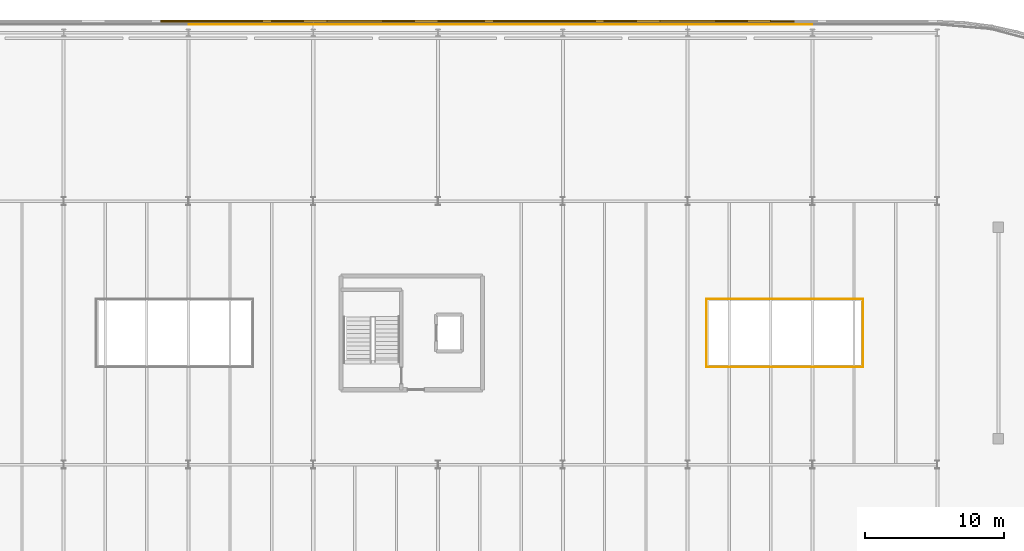
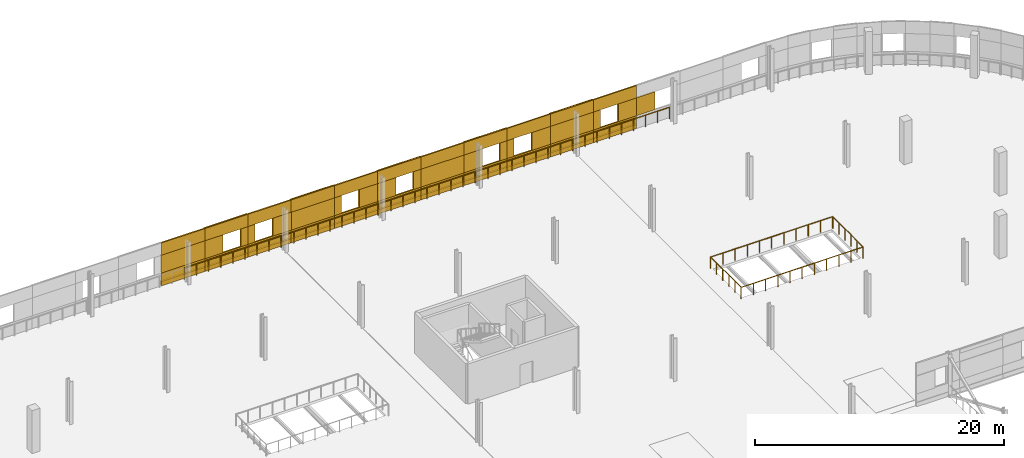
# One storey, part 127 of 132: 57 coverings, 7 railings.
"""IFC4 building model written with IfcOpenShell, lengths in metres."""

from ifc_helpers import new_model, si_unit, direction, frame, origin, origin_2d, place, context, subcontext, project, spatial, rectangle, circle, extrude, material, layer, layer_set, type_object, element, save


model = new_model("IFC4")

# Units and contexts
model_context = context("Model", 3, precision=1e-05, world=origin(), true_north=direction((0.0, 1.0)))
body_context = subcontext(model_context, "Body", "Model", "MODEL_VIEW")
ifc_project = project(units=[si_unit("LENGTHUNIT", "METRE"), si_unit("AREAUNIT", "SQUARE_METRE"), si_unit("VOLUMEUNIT", "CUBIC_METRE"), si_unit("PLANEANGLEUNIT", "RADIAN"), si_unit("MASSUNIT", "GRAM", prefix="KILO")], contexts=[model_context])

# Site, building, storey
site_placement = place(None, origin())
site = spatial("IfcSite", under=ifc_project, at=site_placement, CompositionType="ELEMENT")
building_placement = place(site_placement, origin())
building = spatial("IfcBuilding", under=site, at=building_placement, Name="Deido Ridge Mobility Hub", CompositionType="ELEMENT")
storey_placement = place(building_placement, frame((0.0, 0.0, 8.39990234375)))
storey = spatial("IfcBuildingStorey", under=building, at=storey_placement, Name="L02", CompositionType="ELEMENT", Elevation=8.39990234375)

# Coverings
ifc_material_1 = material(Name="Fired clay brick masonry", Category="masonry")
ifc_layer = layer(ifc_material_1, 0.114990234375, Name="Fired clay brick masonry")
ifc_layer_set = layer_set([ifc_layer], Name="Fired clay brick masonry")
covering_type = type_object("IfcCoveringType", Name="COV-BRK-SCREEN-115", PredefinedType="CLADDING", material=ifc_layer_set)
covering_1_placement = place(storey_placement, frame((105.847412109375, 125.947509765625, 1.25), z_axis=(0.0, 0.0, 1.0), x_axis=(-1.0, 0.0, 0.0)))
element("IfcCovering", 1, at=covering_1_placement, inside=storey, type_object=covering_type, Name="Open brickwork pier BKS1 (L02)", PredefinedType="CLADDING", context=body_context, shape_type="SweptSolid", body=[
    extrude(rectangle(XDim=1.695068359375, YDim=0.125, at=origin_2d()), origin(), (0.0, 0.0, 1.0), 1.75),
])
covering_2_placement = place(storey_placement, frame((103.0, 125.947509765625, 0.0), z_axis=(0.0, 0.0, 1.0), x_axis=(-1.0, 0.0, 0.0)))
element("IfcCovering", 2, at=covering_2_placement, inside=storey, type_object=covering_type, Name="Open brickwork spandrel course BKS1 (L02)", PredefinedType="CLADDING", context=body_context, shape_type="SweptSolid", body=[
    extrude(rectangle(XDim=4.01611328125, YDim=0.125, at=origin_2d()), origin(), (0.0, 0.0, 1.0), 1.25),
])
covering_3_placement = place(storey_placement, frame((103.0, 125.97509765625, 0.000244140625), z_axis=(0.0, 0.0, 1.0), x_axis=(-1.0, 0.0, 0.0)))
element("IfcCovering", 3, at=covering_3_placement, inside=storey, type_object=covering_type, Name="Raised brick relief belt BKS1 (L02)", PredefinedType="CLADDING", context=body_context, shape_type="SweptSolid", body=[
    extrude(rectangle(XDim=4.01611328125, YDim=0.179931640625, at=origin_2d()), origin(), (0.0, 0.0, 1.0), 0.39990234375),
])
covering_4_placement = place(storey_placement, frame((103.0, 125.947509765625, 3.0), z_axis=(0.0, 0.0, 1.0), x_axis=(-1.0, 0.0, 0.0)))
element("IfcCovering", 4, at=covering_4_placement, inside=storey, type_object=covering_type, Name="Open brickwork lintel course BKS1 (L02)", PredefinedType="CLADDING", context=body_context, shape_type="SweptSolid", body=[
    extrude(rectangle(XDim=4.01611328125, YDim=0.125, at=origin_2d()), origin(), (0.0, 0.0, 1.0), 1.199951171875),
])
covering_5_placement = place(storey_placement, frame((104.152587890625, 125.97509765625, 1.25), z_axis=(0.0, 0.0, 1.0), x_axis=(-1.0, 0.0, 0.0)))
element("IfcCovering", 5, at=covering_5_placement, inside=storey, type_object=covering_type, Name="Open brickwork pier BKS1 (L02)", PredefinedType="CLADDING", context=body_context, shape_type="SweptSolid", body=[
    extrude(rectangle(XDim=1.695068359375, YDim=0.179931640625, at=origin_2d()), origin(), (0.0, 0.0, 1.0), 1.75),
])
covering_6_placement = place(storey_placement, frame((101.327392578125, 125.947509765625, 1.25), z_axis=(0.0, 0.0, 1.0), x_axis=(-1.0, 0.0, 0.0)))
element("IfcCovering", 6, at=covering_6_placement, inside=storey, type_object=covering_type, Name="Open brickwork pier BKS1 (L02)", PredefinedType="CLADDING", context=body_context, shape_type="SweptSolid", body=[
    extrude(rectangle(XDim=0.655029296875, YDim=0.125, at=origin_2d()), origin(), (0.0, 0.0, 1.0), 1.75),
])
covering_7_placement = place(storey_placement, frame((99.0, 125.947509765625, 0.0), z_axis=(0.0, 0.0, 1.0), x_axis=(-1.0, 0.0, 0.0)))
element("IfcCovering", 7, at=covering_7_placement, inside=storey, type_object=covering_type, Name="Open brickwork spandrel course BKS1 (L02)", PredefinedType="CLADDING", context=body_context, shape_type="SweptSolid", body=[
    extrude(rectangle(XDim=4.01611328125, YDim=0.125, at=origin_2d()), origin(), (0.0, 0.0, 1.0), 1.25),
])
covering_8_placement = place(storey_placement, frame((99.0, 125.97509765625, 0.000244140625), z_axis=(0.0, 0.0, 1.0), x_axis=(-1.0, 0.0, 0.0)))
element("IfcCovering", 8, at=covering_8_placement, inside=storey, type_object=covering_type, Name="Raised brick relief belt BKS1 (L02)", PredefinedType="CLADDING", context=body_context, shape_type="SweptSolid", body=[
    extrude(rectangle(XDim=4.01611328125, YDim=0.179931640625, at=origin_2d()), origin(), (0.0, 0.0, 1.0), 0.39990234375),
])
covering_9_placement = place(storey_placement, frame((99.0, 125.947509765625, 3.0), z_axis=(0.0, 0.0, 1.0), x_axis=(-1.0, 0.0, 0.0)))
element("IfcCovering", 9, at=covering_9_placement, inside=storey, type_object=covering_type, Name="Open brickwork lintel course BKS1 (L02)", PredefinedType="CLADDING", context=body_context, shape_type="SweptSolid", body=[
    extrude(rectangle(XDim=4.01611328125, YDim=0.125, at=origin_2d()), origin(), (0.0, 0.0, 1.0), 1.199951171875),
])
covering_10_placement = place(storey_placement, frame((99.0, 125.97509765625, 3.83984375), z_axis=(0.0, 0.0, 1.0), x_axis=(-1.0, 0.0, 0.0)))
element("IfcCovering", 10, at=covering_10_placement, inside=storey, type_object=covering_type, Name="Raised brick relief cornice BKS1 (L02)", PredefinedType="CLADDING", context=body_context, shape_type="SweptSolid", body=[
    extrude(rectangle(XDim=4.01611328125, YDim=0.179931640625, at=origin_2d()), origin(), (0.0, 0.0, 1.0), 0.360107421875),
])
covering_11_placement = place(storey_placement, frame((99.0, 125.97509765625, 1.25), z_axis=(0.0, 0.0, 1.0), x_axis=(-1.0, 0.0, 0.0)))
element("IfcCovering", 11, at=covering_11_placement, inside=storey, type_object=covering_type, Name="Raised brick relief panel BKS1 (L02)", PredefinedType="CLADDING", context=body_context, shape_type="SweptSolid", body=[
    extrude(rectangle(XDim=4.008056640625, YDim=0.179931640625, at=origin_2d()), origin(), (0.0, 0.0, 1.0), 1.75),
])
covering_12_placement = place(storey_placement, frame((95.0, 125.947509765625, 0.0), z_axis=(0.0, 0.0, 1.0), x_axis=(-1.0, 0.0, 0.0)))
element("IfcCovering", 12, at=covering_12_placement, inside=storey, type_object=covering_type, Name="Open brickwork spandrel course BKS1 (L02)", PredefinedType="CLADDING", context=body_context, shape_type="SweptSolid", body=[
    extrude(rectangle(XDim=4.01611328125, YDim=0.125, at=origin_2d()), origin(), (0.0, 0.0, 1.0), 1.25),
])
covering_13_placement = place(storey_placement, frame((95.0, 125.97509765625, 0.000244140625), z_axis=(0.0, 0.0, 1.0), x_axis=(-1.0, 0.0, 0.0)))
element("IfcCovering", 13, at=covering_13_placement, inside=storey, type_object=covering_type, Name="Raised brick relief belt BKS1 (L02)", PredefinedType="CLADDING", context=body_context, shape_type="SweptSolid", body=[
    extrude(rectangle(XDim=4.01611328125, YDim=0.179931640625, at=origin_2d()), origin(), (0.0, 0.0, 1.0), 0.39990234375),
])
covering_14_placement = place(storey_placement, frame((95.0, 125.947509765625, 3.0), z_axis=(0.0, 0.0, 1.0), x_axis=(-1.0, 0.0, 0.0)))
element("IfcCovering", 14, at=covering_14_placement, inside=storey, type_object=covering_type, Name="Open brickwork lintel course BKS1 (L02)", PredefinedType="CLADDING", context=body_context, shape_type="SweptSolid", body=[
    extrude(rectangle(XDim=4.01611328125, YDim=0.125, at=origin_2d()), origin(), (0.0, 0.0, 1.0), 1.199951171875),
])
covering_15_placement = place(storey_placement, frame((96.152587890625, 125.97509765625, 1.25), z_axis=(0.0, 0.0, 1.0), x_axis=(-1.0, 0.0, 0.0)))
element("IfcCovering", 15, at=covering_15_placement, inside=storey, type_object=covering_type, Name="Open brickwork pier BKS1 (L02)", PredefinedType="CLADDING", context=body_context, shape_type="SweptSolid", body=[
    extrude(rectangle(XDim=1.695068359375, YDim=0.179931640625, at=origin_2d()), origin(), (0.0, 0.0, 1.0), 1.75),
])
covering_16_placement = place(storey_placement, frame((93.327392578125, 125.947509765625, 1.25), z_axis=(0.0, 0.0, 1.0), x_axis=(-1.0, 0.0, 0.0)))
element("IfcCovering", 16, at=covering_16_placement, inside=storey, type_object=covering_type, Name="Open brickwork pier BKS1 (L02)", PredefinedType="CLADDING", context=body_context, shape_type="SweptSolid", body=[
    extrude(rectangle(XDim=0.655029296875, YDim=0.125, at=origin_2d()), origin(), (0.0, 0.0, 1.0), 1.75),
])
covering_17_placement = place(storey_placement, frame((91.0, 125.947509765625, 0.0), z_axis=(0.0, 0.0, 1.0), x_axis=(-1.0, 0.0, 0.0)))
element("IfcCovering", 17, at=covering_17_placement, inside=storey, type_object=covering_type, Name="Open brickwork spandrel course BKS1 (L02)", PredefinedType="CLADDING", context=body_context, shape_type="SweptSolid", body=[
    extrude(rectangle(XDim=4.01611328125, YDim=0.125, at=origin_2d()), origin(), (0.0, 0.0, 1.0), 1.25),
])
covering_18_placement = place(storey_placement, frame((91.0, 125.97509765625, 0.000244140625), z_axis=(0.0, 0.0, 1.0), x_axis=(-1.0, 0.0, 0.0)))
element("IfcCovering", 18, at=covering_18_placement, inside=storey, type_object=covering_type, Name="Raised brick relief belt BKS1 (L02)", PredefinedType="CLADDING", context=body_context, shape_type="SweptSolid", body=[
    extrude(rectangle(XDim=4.01611328125, YDim=0.179931640625, at=origin_2d()), origin(), (0.0, 0.0, 1.0), 0.39990234375),
])
covering_19_placement = place(storey_placement, frame((91.0, 125.947509765625, 3.0), z_axis=(0.0, 0.0, 1.0), x_axis=(-1.0, 0.0, 0.0)))
element("IfcCovering", 19, at=covering_19_placement, inside=storey, type_object=covering_type, Name="Open brickwork lintel course BKS1 (L02)", PredefinedType="CLADDING", context=body_context, shape_type="SweptSolid", body=[
    extrude(rectangle(XDim=4.01611328125, YDim=0.125, at=origin_2d()), origin(), (0.0, 0.0, 1.0), 1.199951171875),
])
covering_20_placement = place(storey_placement, frame((91.0, 125.97509765625, 3.83984375), z_axis=(0.0, 0.0, 1.0), x_axis=(-1.0, 0.0, 0.0)))
element("IfcCovering", 20, at=covering_20_placement, inside=storey, type_object=covering_type, Name="Raised brick relief cornice BKS1 (L02)", PredefinedType="CLADDING", context=body_context, shape_type="SweptSolid", body=[
    extrude(rectangle(XDim=4.01611328125, YDim=0.179931640625, at=origin_2d()), origin(), (0.0, 0.0, 1.0), 0.360107421875),
])
covering_21_placement = place(storey_placement, frame((92.672607421875, 125.97509765625, 1.25), z_axis=(0.0, 0.0, 1.0), x_axis=(-1.0, 0.0, 0.0)))
element("IfcCovering", 21, at=covering_21_placement, inside=storey, type_object=covering_type, Name="Open brickwork pier BKS1 (L02)", PredefinedType="CLADDING", context=body_context, shape_type="SweptSolid", body=[
    extrude(rectangle(XDim=0.655029296875, YDim=0.179931640625, at=origin_2d()), origin(), (0.0, 0.0, 1.0), 1.75),
])
covering_22_placement = place(storey_placement, frame((89.847412109375, 125.947509765625, 1.25), z_axis=(0.0, 0.0, 1.0), x_axis=(-1.0, 0.0, 0.0)))
element("IfcCovering", 22, at=covering_22_placement, inside=storey, type_object=covering_type, Name="Open brickwork pier BKS1 (L02)", PredefinedType="CLADDING", context=body_context, shape_type="SweptSolid", body=[
    extrude(rectangle(XDim=1.695068359375, YDim=0.125, at=origin_2d()), origin(), (0.0, 0.0, 1.0), 1.75),
])
covering_23_placement = place(storey_placement, frame((87.0, 125.947509765625, 0.0), z_axis=(0.0, 0.0, 1.0), x_axis=(-1.0, 0.0, 0.0)))
element("IfcCovering", 23, at=covering_23_placement, inside=storey, type_object=covering_type, Name="Open brickwork spandrel course BKS1 (L02)", PredefinedType="CLADDING", context=body_context, shape_type="SweptSolid", body=[
    extrude(rectangle(XDim=4.01611328125, YDim=0.125, at=origin_2d()), origin(), (0.0, 0.0, 1.0), 1.25),
])
covering_24_placement = place(storey_placement, frame((87.0, 125.97509765625, 0.000244140625), z_axis=(0.0, 0.0, 1.0), x_axis=(-1.0, 0.0, 0.0)))
element("IfcCovering", 24, at=covering_24_placement, inside=storey, type_object=covering_type, Name="Raised brick relief belt BKS1 (L02)", PredefinedType="CLADDING", context=body_context, shape_type="SweptSolid", body=[
    extrude(rectangle(XDim=4.01611328125, YDim=0.179931640625, at=origin_2d()), origin(), (0.0, 0.0, 1.0), 0.39990234375),
])
covering_25_placement = place(storey_placement, frame((87.0, 125.947509765625, 3.0), z_axis=(0.0, 0.0, 1.0), x_axis=(-1.0, 0.0, 0.0)))
element("IfcCovering", 25, at=covering_25_placement, inside=storey, type_object=covering_type, Name="Open brickwork lintel course BKS1 (L02)", PredefinedType="CLADDING", context=body_context, shape_type="SweptSolid", body=[
    extrude(rectangle(XDim=4.01611328125, YDim=0.125, at=origin_2d()), origin(), (0.0, 0.0, 1.0), 1.199951171875),
])
covering_26_placement = place(storey_placement, frame((87.0, 125.97509765625, 1.25), z_axis=(0.0, 0.0, 1.0), x_axis=(-1.0, 0.0, 0.0)))
element("IfcCovering", 26, at=covering_26_placement, inside=storey, type_object=covering_type, Name="Raised brick relief panel BKS1 (L02)", PredefinedType="CLADDING", context=body_context, shape_type="SweptSolid", body=[
    extrude(rectangle(XDim=4.008056640625, YDim=0.179931640625, at=origin_2d()), origin(), (0.0, 0.0, 1.0), 1.75),
])
covering_27_placement = place(storey_placement, frame((83.0, 125.947509765625, 0.0), z_axis=(0.0, 0.0, 1.0), x_axis=(-1.0, 0.0, 0.0)))
element("IfcCovering", 27, at=covering_27_placement, inside=storey, type_object=covering_type, Name="Open brickwork spandrel course BKS1 (L02)", PredefinedType="CLADDING", context=body_context, shape_type="SweptSolid", body=[
    extrude(rectangle(XDim=4.01611328125, YDim=0.125, at=origin_2d()), origin(), (0.0, 0.0, 1.0), 1.25),
])
covering_28_placement = place(storey_placement, frame((83.0, 125.97509765625, 0.000244140625), z_axis=(0.0, 0.0, 1.0), x_axis=(-1.0, 0.0, 0.0)))
element("IfcCovering", 28, at=covering_28_placement, inside=storey, type_object=covering_type, Name="Raised brick relief belt BKS1 (L02)", PredefinedType="CLADDING", context=body_context, shape_type="SweptSolid", body=[
    extrude(rectangle(XDim=4.01611328125, YDim=0.179931640625, at=origin_2d()), origin(), (0.0, 0.0, 1.0), 0.39990234375),
])
covering_29_placement = place(storey_placement, frame((83.0, 125.947509765625, 3.0), z_axis=(0.0, 0.0, 1.0), x_axis=(-1.0, 0.0, 0.0)))
element("IfcCovering", 29, at=covering_29_placement, inside=storey, type_object=covering_type, Name="Open brickwork lintel course BKS1 (L02)", PredefinedType="CLADDING", context=body_context, shape_type="SweptSolid", body=[
    extrude(rectangle(XDim=4.01611328125, YDim=0.125, at=origin_2d()), origin(), (0.0, 0.0, 1.0), 1.199951171875),
])
covering_30_placement = place(storey_placement, frame((83.0, 125.97509765625, 3.83984375), z_axis=(0.0, 0.0, 1.0), x_axis=(-1.0, 0.0, 0.0)))
element("IfcCovering", 30, at=covering_30_placement, inside=storey, type_object=covering_type, Name="Raised brick relief cornice BKS1 (L02)", PredefinedType="CLADDING", context=body_context, shape_type="SweptSolid", body=[
    extrude(rectangle(XDim=4.01611328125, YDim=0.179931640625, at=origin_2d()), origin(), (0.0, 0.0, 1.0), 0.360107421875),
])
covering_31_placement = place(storey_placement, frame((84.672607421875, 125.97509765625, 1.25), z_axis=(0.0, 0.0, 1.0), x_axis=(-1.0, 0.0, 0.0)))
element("IfcCovering", 31, at=covering_31_placement, inside=storey, type_object=covering_type, Name="Open brickwork pier BKS1 (L02)", PredefinedType="CLADDING", context=body_context, shape_type="SweptSolid", body=[
    extrude(rectangle(XDim=0.655029296875, YDim=0.179931640625, at=origin_2d()), origin(), (0.0, 0.0, 1.0), 1.75),
])
covering_32_placement = place(storey_placement, frame((81.847412109375, 125.947509765625, 1.25), z_axis=(0.0, 0.0, 1.0), x_axis=(-1.0, 0.0, 0.0)))
element("IfcCovering", 32, at=covering_32_placement, inside=storey, type_object=covering_type, Name="Open brickwork pier BKS1 (L02)", PredefinedType="CLADDING", context=body_context, shape_type="SweptSolid", body=[
    extrude(rectangle(XDim=1.695068359375, YDim=0.125, at=origin_2d()), origin(), (0.0, 0.0, 1.0), 1.75),
])
covering_33_placement = place(storey_placement, frame((79.0, 125.947509765625, 0.0), z_axis=(0.0, 0.0, 1.0), x_axis=(-1.0, 0.0, 0.0)))
element("IfcCovering", 33, at=covering_33_placement, inside=storey, type_object=covering_type, Name="Open brickwork spandrel course BKS1 (L02)", PredefinedType="CLADDING", context=body_context, shape_type="SweptSolid", body=[
    extrude(rectangle(XDim=4.01611328125, YDim=0.125, at=origin_2d()), origin(), (0.0, 0.0, 1.0), 1.25),
])
covering_34_placement = place(storey_placement, frame((79.0, 125.97509765625, 0.000244140625), z_axis=(0.0, 0.0, 1.0), x_axis=(-1.0, 0.0, 0.0)))
element("IfcCovering", 34, at=covering_34_placement, inside=storey, type_object=covering_type, Name="Raised brick relief belt BKS1 (L02)", PredefinedType="CLADDING", context=body_context, shape_type="SweptSolid", body=[
    extrude(rectangle(XDim=4.01611328125, YDim=0.179931640625, at=origin_2d()), origin(), (0.0, 0.0, 1.0), 0.39990234375),
])
covering_35_placement = place(storey_placement, frame((79.0, 125.947509765625, 3.0), z_axis=(0.0, 0.0, 1.0), x_axis=(-1.0, 0.0, 0.0)))
element("IfcCovering", 35, at=covering_35_placement, inside=storey, type_object=covering_type, Name="Open brickwork lintel course BKS1 (L02)", PredefinedType="CLADDING", context=body_context, shape_type="SweptSolid", body=[
    extrude(rectangle(XDim=4.01611328125, YDim=0.125, at=origin_2d()), origin(), (0.0, 0.0, 1.0), 1.199951171875),
])
covering_36_placement = place(storey_placement, frame((80.152587890625, 125.97509765625, 1.25), z_axis=(0.0, 0.0, 1.0), x_axis=(-1.0, 0.0, 0.0)))
element("IfcCovering", 36, at=covering_36_placement, inside=storey, type_object=covering_type, Name="Open brickwork pier BKS1 (L02)", PredefinedType="CLADDING", context=body_context, shape_type="SweptSolid", body=[
    extrude(rectangle(XDim=1.695068359375, YDim=0.179931640625, at=origin_2d()), origin(), (0.0, 0.0, 1.0), 1.75),
])
covering_37_placement = place(storey_placement, frame((77.327392578125, 125.947509765625, 1.25), z_axis=(0.0, 0.0, 1.0), x_axis=(-1.0, 0.0, 0.0)))
element("IfcCovering", 37, at=covering_37_placement, inside=storey, type_object=covering_type, Name="Open brickwork pier BKS1 (L02)", PredefinedType="CLADDING", context=body_context, shape_type="SweptSolid", body=[
    extrude(rectangle(XDim=0.655029296875, YDim=0.125, at=origin_2d()), origin(), (0.0, 0.0, 1.0), 1.75),
])
covering_38_placement = place(storey_placement, frame((75.0, 125.947509765625, 0.0), z_axis=(0.0, 0.0, 1.0), x_axis=(-1.0, 0.0, 0.0)))
element("IfcCovering", 38, at=covering_38_placement, inside=storey, type_object=covering_type, Name="Open brickwork spandrel course BKS1 (L02)", PredefinedType="CLADDING", context=body_context, shape_type="SweptSolid", body=[
    extrude(rectangle(XDim=4.01611328125, YDim=0.125, at=origin_2d()), origin(), (0.0, 0.0, 1.0), 1.25),
])
covering_39_placement = place(storey_placement, frame((75.0, 125.97509765625, 0.000244140625), z_axis=(0.0, 0.0, 1.0), x_axis=(-1.0, 0.0, 0.0)))
element("IfcCovering", 39, at=covering_39_placement, inside=storey, type_object=covering_type, Name="Raised brick relief belt BKS1 (L02)", PredefinedType="CLADDING", context=body_context, shape_type="SweptSolid", body=[
    extrude(rectangle(XDim=4.01611328125, YDim=0.179931640625, at=origin_2d()), origin(), (0.0, 0.0, 1.0), 0.39990234375),
])
covering_40_placement = place(storey_placement, frame((75.0, 125.947509765625, 3.0), z_axis=(0.0, 0.0, 1.0), x_axis=(-1.0, 0.0, 0.0)))
element("IfcCovering", 40, at=covering_40_placement, inside=storey, type_object=covering_type, Name="Open brickwork lintel course BKS1 (L02)", PredefinedType="CLADDING", context=body_context, shape_type="SweptSolid", body=[
    extrude(rectangle(XDim=4.01611328125, YDim=0.125, at=origin_2d()), origin(), (0.0, 0.0, 1.0), 1.199951171875),
])
covering_41_placement = place(storey_placement, frame((75.0, 125.97509765625, 3.83984375), z_axis=(0.0, 0.0, 1.0), x_axis=(-1.0, 0.0, 0.0)))
element("IfcCovering", 41, at=covering_41_placement, inside=storey, type_object=covering_type, Name="Raised brick relief cornice BKS1 (L02)", PredefinedType="CLADDING", context=body_context, shape_type="SweptSolid", body=[
    extrude(rectangle(XDim=4.01611328125, YDim=0.179931640625, at=origin_2d()), origin(), (0.0, 0.0, 1.0), 0.360107421875),
])
covering_42_placement = place(storey_placement, frame((75.0, 125.97509765625, 1.25), z_axis=(0.0, 0.0, 1.0), x_axis=(-1.0, 0.0, 0.0)))
element("IfcCovering", 42, at=covering_42_placement, inside=storey, type_object=covering_type, Name="Raised brick relief panel BKS1 (L02)", PredefinedType="CLADDING", context=body_context, shape_type="SweptSolid", body=[
    extrude(rectangle(XDim=4.008056640625, YDim=0.179931640625, at=origin_2d()), origin(), (0.0, 0.0, 1.0), 1.75),
])
covering_43_placement = place(storey_placement, frame((71.0, 125.947509765625, 0.0), z_axis=(0.0, 0.0, 1.0), x_axis=(-1.0, 0.0, 0.0)))
element("IfcCovering", 43, at=covering_43_placement, inside=storey, type_object=covering_type, Name="Open brickwork spandrel course BKS1 (L02)", PredefinedType="CLADDING", context=body_context, shape_type="SweptSolid", body=[
    extrude(rectangle(XDim=4.01611328125, YDim=0.125, at=origin_2d()), origin(), (0.0, 0.0, 1.0), 1.25),
])
covering_44_placement = place(storey_placement, frame((71.0, 125.97509765625, 0.000244140625), z_axis=(0.0, 0.0, 1.0), x_axis=(-1.0, 0.0, 0.0)))
element("IfcCovering", 44, at=covering_44_placement, inside=storey, type_object=covering_type, Name="Raised brick relief belt BKS1 (L02)", PredefinedType="CLADDING", context=body_context, shape_type="SweptSolid", body=[
    extrude(rectangle(XDim=4.01611328125, YDim=0.179931640625, at=origin_2d()), origin(), (0.0, 0.0, 1.0), 0.39990234375),
])
covering_45_placement = place(storey_placement, frame((71.0, 125.947509765625, 3.0), z_axis=(0.0, 0.0, 1.0), x_axis=(-1.0, 0.0, 0.0)))
element("IfcCovering", 45, at=covering_45_placement, inside=storey, type_object=covering_type, Name="Open brickwork lintel course BKS1 (L02)", PredefinedType="CLADDING", context=body_context, shape_type="SweptSolid", body=[
    extrude(rectangle(XDim=4.01611328125, YDim=0.125, at=origin_2d()), origin(), (0.0, 0.0, 1.0), 1.199951171875),
])
covering_46_placement = place(storey_placement, frame((72.152587890625, 125.97509765625, 1.25), z_axis=(0.0, 0.0, 1.0), x_axis=(-1.0, 0.0, 0.0)))
element("IfcCovering", 46, at=covering_46_placement, inside=storey, type_object=covering_type, Name="Open brickwork pier BKS1 (L02)", PredefinedType="CLADDING", context=body_context, shape_type="SweptSolid", body=[
    extrude(rectangle(XDim=1.695068359375, YDim=0.179931640625, at=origin_2d()), origin(), (0.0, 0.0, 1.0), 1.75),
])
covering_47_placement = place(storey_placement, frame((69.327392578125, 125.947509765625, 1.25), z_axis=(0.0, 0.0, 1.0), x_axis=(-1.0, 0.0, 0.0)))
element("IfcCovering", 47, at=covering_47_placement, inside=storey, type_object=covering_type, Name="Open brickwork pier BKS1 (L02)", PredefinedType="CLADDING", context=body_context, shape_type="SweptSolid", body=[
    extrude(rectangle(XDim=0.655029296875, YDim=0.125, at=origin_2d()), origin(), (0.0, 0.0, 1.0), 1.75),
])
covering_48_placement = place(storey_placement, frame((67.0, 125.947509765625, 0.0), z_axis=(0.0, 0.0, 1.0), x_axis=(-1.0, 0.0, 0.0)))
element("IfcCovering", 48, at=covering_48_placement, inside=storey, type_object=covering_type, Name="Open brickwork spandrel course BKS1 (L02)", PredefinedType="CLADDING", context=body_context, shape_type="SweptSolid", body=[
    extrude(rectangle(XDim=4.01611328125, YDim=0.125, at=origin_2d()), origin(), (0.0, 0.0, 1.0), 1.25),
])
covering_49_placement = place(storey_placement, frame((67.0, 125.97509765625, 0.000244140625), z_axis=(0.0, 0.0, 1.0), x_axis=(-1.0, 0.0, 0.0)))
element("IfcCovering", 49, at=covering_49_placement, inside=storey, type_object=covering_type, Name="Raised brick relief belt BKS1 (L02)", PredefinedType="CLADDING", context=body_context, shape_type="SweptSolid", body=[
    extrude(rectangle(XDim=4.01611328125, YDim=0.179931640625, at=origin_2d()), origin(), (0.0, 0.0, 1.0), 0.39990234375),
])
covering_50_placement = place(storey_placement, frame((67.0, 125.947509765625, 3.0), z_axis=(0.0, 0.0, 1.0), x_axis=(-1.0, 0.0, 0.0)))
element("IfcCovering", 50, at=covering_50_placement, inside=storey, type_object=covering_type, Name="Open brickwork lintel course BKS1 (L02)", PredefinedType="CLADDING", context=body_context, shape_type="SweptSolid", body=[
    extrude(rectangle(XDim=4.01611328125, YDim=0.125, at=origin_2d()), origin(), (0.0, 0.0, 1.0), 1.199951171875),
])
covering_51_placement = place(storey_placement, frame((67.0, 125.97509765625, 3.83984375), z_axis=(0.0, 0.0, 1.0), x_axis=(-1.0, 0.0, 0.0)))
element("IfcCovering", 51, at=covering_51_placement, inside=storey, type_object=covering_type, Name="Raised brick relief cornice BKS1 (L02)", PredefinedType="CLADDING", context=body_context, shape_type="SweptSolid", body=[
    extrude(rectangle(XDim=4.01611328125, YDim=0.179931640625, at=origin_2d()), origin(), (0.0, 0.0, 1.0), 0.360107421875),
])
covering_52_placement = place(storey_placement, frame((68.672607421875, 125.97509765625, 1.25), z_axis=(0.0, 0.0, 1.0), x_axis=(-1.0, 0.0, 0.0)))
element("IfcCovering", 52, at=covering_52_placement, inside=storey, type_object=covering_type, Name="Open brickwork pier BKS1 (L02)", PredefinedType="CLADDING", context=body_context, shape_type="SweptSolid", body=[
    extrude(rectangle(XDim=0.655029296875, YDim=0.179931640625, at=origin_2d()), origin(), (0.0, 0.0, 1.0), 1.75),
])
covering_53_placement = place(storey_placement, frame((65.847412109375, 125.947509765625, 1.25), z_axis=(0.0, 0.0, 1.0), x_axis=(-1.0, 0.0, 0.0)))
element("IfcCovering", 53, at=covering_53_placement, inside=storey, type_object=covering_type, Name="Open brickwork pier BKS1 (L02)", PredefinedType="CLADDING", context=body_context, shape_type="SweptSolid", body=[
    extrude(rectangle(XDim=1.695068359375, YDim=0.125, at=origin_2d()), origin(), (0.0, 0.0, 1.0), 1.75),
])
covering_54_placement = place(storey_placement, frame((63.0, 125.947509765625, 0.0), z_axis=(0.0, 0.0, 1.0), x_axis=(-1.0, 0.0, 0.0)))
element("IfcCovering", 54, at=covering_54_placement, inside=storey, type_object=covering_type, Name="Open brickwork spandrel course BKS1 (L02)", PredefinedType="CLADDING", context=body_context, shape_type="SweptSolid", body=[
    extrude(rectangle(XDim=4.01611328125, YDim=0.125, at=origin_2d()), origin(), (0.0, 0.0, 1.0), 1.25),
])
covering_55_placement = place(storey_placement, frame((63.0, 125.97509765625, 0.000244140625), z_axis=(0.0, 0.0, 1.0), x_axis=(-1.0, 0.0, 0.0)))
element("IfcCovering", 55, at=covering_55_placement, inside=storey, type_object=covering_type, Name="Raised brick relief belt BKS1 (L02)", PredefinedType="CLADDING", context=body_context, shape_type="SweptSolid", body=[
    extrude(rectangle(XDim=4.01611328125, YDim=0.179931640625, at=origin_2d()), origin(), (0.0, 0.0, 1.0), 0.39990234375),
])
covering_56_placement = place(storey_placement, frame((63.0, 125.947509765625, 3.0), z_axis=(0.0, 0.0, 1.0), x_axis=(-1.0, 0.0, 0.0)))
element("IfcCovering", 56, at=covering_56_placement, inside=storey, type_object=covering_type, Name="Open brickwork lintel course BKS1 (L02)", PredefinedType="CLADDING", context=body_context, shape_type="SweptSolid", body=[
    extrude(rectangle(XDim=4.01611328125, YDim=0.125, at=origin_2d()), origin(), (0.0, 0.0, 1.0), 1.199951171875),
])
covering_57_placement = place(storey_placement, frame((63.0, 125.97509765625, 1.25), z_axis=(0.0, 0.0, 1.0), x_axis=(-1.0, 0.0, 0.0)))
element("IfcCovering", 57, at=covering_57_placement, inside=storey, type_object=covering_type, Name="Raised brick relief panel BKS1 (L02)", PredefinedType="CLADDING", context=body_context, shape_type="SweptSolid", body=[
    extrude(rectangle(XDim=4.008056640625, YDim=0.179931640625, at=origin_2d()), origin(), (0.0, 0.0, 1.0), 1.75),
])

# Railings
ifc_material_2 = material(Name="Galvanised steel work", Category="steel")
railing_type = type_object("IfcRailingType", Name="RL-GRD-EXT-1150", PredefinedType="GUARDRAIL", material=ifc_material_2)
for number, where, name in (
    (58, (107.9599609375, 125.75, 0.0), "Parking drum perimeter guard (L02)"),
    (59, (98.9599609375, 125.75, 0.0), "Parking drum perimeter guard (L02)"),
    (60, (89.9599609375, 125.75, 0.0), "Parking drum perimeter guard (L02)"),
    (61, (80.9599609375, 125.75, 0.0), "Parking drum perimeter guard (L02)"),
    (62, (71.9599609375, 125.75, 0.0), "Parking drum perimeter guard (L02)"),
):
    element("IfcRailing", number, at=place(storey_placement, frame(where)), inside=storey, type_object=railing_type, Name=name, PredefinedType="GUARDRAIL", context=body_context, shape_type="SweptSolid", body=[
        extrude(circle(Radius=0.02392578125, at=origin_2d()), frame((0.0, 0.0, 1.1259765625), z_axis=(-1.0, 0.0, 0.0), x_axis=(0.0, -1.0, 0.0)), (0.0, 0.0, 1.0), 8.919921875),
        extrude(circle(Radius=0.02099609375, at=origin_2d()), origin(), (0.0, 0.0, 1.0), 1.101806640625),
        extrude(circle(Radius=0.02099609375, at=origin_2d()), frame((-1.114990234375, 0.0, 0.0)), (0.0, 0.0, 1.0), 1.101806640625),
        extrude(circle(Radius=0.02099609375, at=origin_2d()), frame((-2.22998046875, 0.0, 0.0)), (0.0, 0.0, 1.0), 1.101806640625),
        extrude(circle(Radius=0.02099609375, at=origin_2d()), frame((-3.344970703125, 0.0, 0.0)), (0.0, 0.0, 1.0), 1.101806640625),
        extrude(circle(Radius=0.02099609375, at=origin_2d()), frame((-4.4599609375, 0.0, 0.0)), (0.0, 0.0, 1.0), 1.101806640625),
        extrude(circle(Radius=0.02099609375, at=origin_2d()), frame((-5.574951171875, 0.0, 0.0)), (0.0, 0.0, 1.0), 1.101806640625),
        extrude(circle(Radius=0.02099609375, at=origin_2d()), frame((-6.68994140625, 0.0, 0.0)), (0.0, 0.0, 1.0), 1.101806640625),
        extrude(circle(Radius=0.02099609375, at=origin_2d()), frame((-7.804931640625, 0.0, 0.0)), (0.0, 0.0, 1.0), 1.101806640625),
        extrude(circle(Radius=0.02099609375, at=origin_2d()), frame((-8.919921875, 0.0, 0.0)), (0.0, 0.0, 1.0), 1.101806640625),
    ])
railing_1_placement = place(storey_placement, frame((100.35009765625, 101.050048828125, 0.0)))
element("IfcRailing", 63, at=railing_1_placement, inside=storey, type_object=railing_type, Name="Parking east lightwell guard (L02) A", PredefinedType="GUARDRAIL", context=body_context, shape_type="SweptSolid", body=[
    extrude(circle(Radius=0.02392578125, at=origin_2d()), frame((0.0, 0.0, 1.1259765625), z_axis=(1.0, 0.0, 0.0), x_axis=(0.0, 1.0, 0.0)), (0.0, 0.0, 1.0), 11.2998046875),
    extrude(circle(Radius=0.02392578125, at=origin_2d()), frame((11.2998046875, 0.0, 1.1259765625), z_axis=(0.0, 1.0, 0.0), x_axis=(-1.0, 0.0, 0.0)), (0.0, 0.0, 1.0), 4.83984375),
    extrude(circle(Radius=0.02099609375, at=origin_2d()), origin(), (0.0, 0.0, 1.0), 1.101806640625),
    extrude(circle(Radius=0.02099609375, at=origin_2d()), frame((1.1298828125, 0.0, 0.0)), (0.0, 0.0, 1.0), 1.101806640625),
    extrude(circle(Radius=0.02099609375, at=origin_2d()), frame((2.260009765625, 0.0, 0.0)), (0.0, 0.0, 1.0), 1.101806640625),
    extrude(circle(Radius=0.02099609375, at=origin_2d()), frame((3.389892578125, 0.0, 0.0)), (0.0, 0.0, 1.0), 1.101806640625),
    extrude(circle(Radius=0.02099609375, at=origin_2d()), frame((4.52001953125, 0.0, 0.0)), (0.0, 0.0, 1.0), 1.101806640625),
    extrude(circle(Radius=0.02099609375, at=origin_2d()), frame((5.64990234375, 0.0, 0.0)), (0.0, 0.0, 1.0), 1.101806640625),
    extrude(circle(Radius=0.02099609375, at=origin_2d()), frame((6.77978515625, 0.0, 0.0)), (0.0, 0.0, 1.0), 1.101806640625),
    extrude(circle(Radius=0.02099609375, at=origin_2d()), frame((7.909912109375, 0.0, 0.0)), (0.0, 0.0, 1.0), 1.101806640625),
    extrude(circle(Radius=0.02099609375, at=origin_2d()), frame((9.039794921875, 0.0, 0.0)), (0.0, 0.0, 1.0), 1.101806640625),
    extrude(circle(Radius=0.02099609375, at=origin_2d()), frame((10.169921875, 0.0, 0.0)), (0.0, 0.0, 1.0), 1.101806640625),
    extrude(circle(Radius=0.02099609375, at=origin_2d()), frame((11.2998046875, 0.0, 0.0)), (0.0, 0.0, 1.0), 1.101806640625),
    extrude(circle(Radius=0.02099609375, at=origin_2d()), frame((11.2998046875, 0.968017578125, 0.0)), (0.0, 0.0, 1.0), 1.101806640625),
    extrude(circle(Radius=0.02099609375, at=origin_2d()), frame((11.2998046875, 1.93603515625, 0.0)), (0.0, 0.0, 1.0), 1.101806640625),
    extrude(circle(Radius=0.02099609375, at=origin_2d()), frame((11.2998046875, 2.90380859375, 0.0)), (0.0, 0.0, 1.0), 1.101806640625),
    extrude(circle(Radius=0.02099609375, at=origin_2d()), frame((11.2998046875, 3.871826171875, 0.0)), (0.0, 0.0, 1.0), 1.101806640625),
    extrude(circle(Radius=0.02099609375, at=origin_2d()), frame((11.2998046875, 4.83984375, 0.0)), (0.0, 0.0, 1.0), 1.101806640625),
])
railing_2_placement = place(storey_placement, frame((111.64990234375, 105.949951171875, 0.0)))
element("IfcRailing", 64, at=railing_2_placement, inside=storey, type_object=railing_type, Name="Parking east lightwell guard (L02) B", PredefinedType="GUARDRAIL", context=body_context, shape_type="SweptSolid", body=[
    extrude(circle(Radius=0.02392578125, at=origin_2d()), frame((0.0, 0.0, 1.1259765625), z_axis=(-1.0, 0.0, 0.0), x_axis=(0.0, -1.0, 0.0)), (0.0, 0.0, 1.0), 11.2998046875),
    extrude(circle(Radius=0.02392578125, at=origin_2d()), frame((-11.2998046875, 0.0, 1.1259765625), z_axis=(0.0, -1.0, 0.0), x_axis=(1.0, 0.0, 0.0)), (0.0, 0.0, 1.0), 4.83984375),
    extrude(circle(Radius=0.02099609375, at=origin_2d()), origin(), (0.0, 0.0, 1.0), 1.101806640625),
    extrude(circle(Radius=0.02099609375, at=origin_2d()), frame((-1.1298828125, 0.0, 0.0)), (0.0, 0.0, 1.0), 1.101806640625),
    extrude(circle(Radius=0.02099609375, at=origin_2d()), frame((-2.260009765625, 0.0, 0.0)), (0.0, 0.0, 1.0), 1.101806640625),
    extrude(circle(Radius=0.02099609375, at=origin_2d()), frame((-3.389892578125, 0.0, 0.0)), (0.0, 0.0, 1.0), 1.101806640625),
    extrude(circle(Radius=0.02099609375, at=origin_2d()), frame((-4.52001953125, 0.0, 0.0)), (0.0, 0.0, 1.0), 1.101806640625),
    extrude(circle(Radius=0.02099609375, at=origin_2d()), frame((-5.64990234375, 0.0, 0.0)), (0.0, 0.0, 1.0), 1.101806640625),
    extrude(circle(Radius=0.02099609375, at=origin_2d()), frame((-6.77978515625, 0.0, 0.0)), (0.0, 0.0, 1.0), 1.101806640625),
    extrude(circle(Radius=0.02099609375, at=origin_2d()), frame((-7.909912109375, 0.0, 0.0)), (0.0, 0.0, 1.0), 1.101806640625),
    extrude(circle(Radius=0.02099609375, at=origin_2d()), frame((-9.039794921875, 0.0, 0.0)), (0.0, 0.0, 1.0), 1.101806640625),
    extrude(circle(Radius=0.02099609375, at=origin_2d()), frame((-10.169921875, 0.0, 0.0)), (0.0, 0.0, 1.0), 1.101806640625),
    extrude(circle(Radius=0.02099609375, at=origin_2d()), frame((-11.2998046875, 0.0, 0.0)), (0.0, 0.0, 1.0), 1.101806640625),
    extrude(circle(Radius=0.02099609375, at=origin_2d()), frame((-11.2998046875, -0.968017578125, 0.0)), (0.0, 0.0, 1.0), 1.101806640625),
    extrude(circle(Radius=0.02099609375, at=origin_2d()), frame((-11.2998046875, -1.93603515625, 0.0)), (0.0, 0.0, 1.0), 1.101806640625),
    extrude(circle(Radius=0.02099609375, at=origin_2d()), frame((-11.2998046875, -2.90380859375, 0.0)), (0.0, 0.0, 1.0), 1.101806640625),
    extrude(circle(Radius=0.02099609375, at=origin_2d()), frame((-11.2998046875, -3.871826171875, 0.0)), (0.0, 0.0, 1.0), 1.101806640625),
    extrude(circle(Radius=0.02099609375, at=origin_2d()), frame((-11.2998046875, -4.83984375, 0.0)), (0.0, 0.0, 1.0), 1.101806640625),
])

save(model, "model.ifc")
